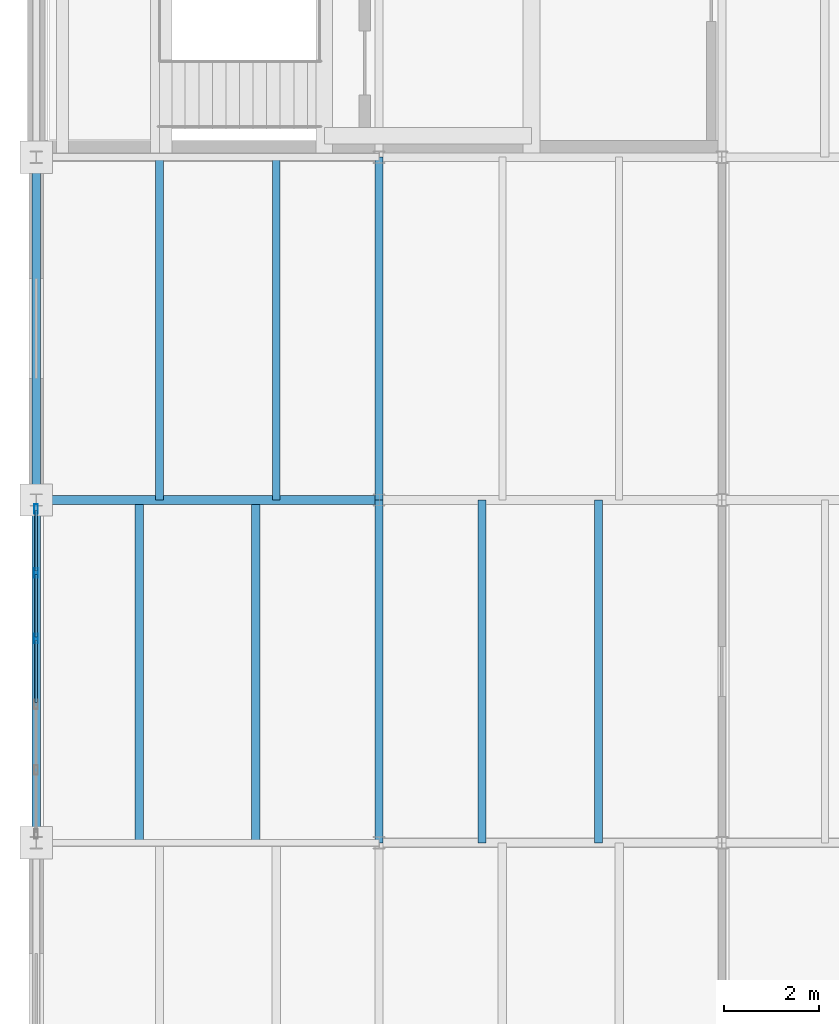
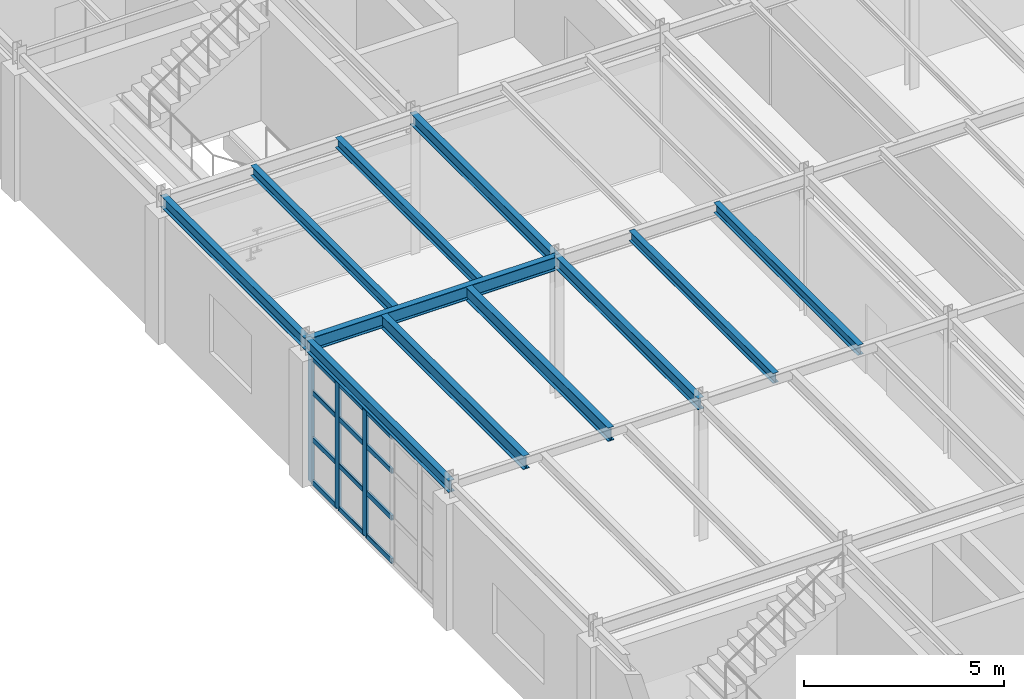
# One storey, part 18 of 36: 15 members, 11 beams, 1 element without a shape of its own.
"""IFC4 building model written with IfcOpenShell, lengths in metres."""

from ifc_helpers import new_model, si_unit, direction, frame, origin, origin_2d, place, context, subcontext, project, spatial, hollow_rectangle, i_section, extrude, material, layer, layer_set, material_profile, profile_set, type_object, element, aggregate, save


model = new_model("IFC4")

# Units and contexts
model_context = context("Model", 3, precision=1e-05, world=origin(), true_north=direction((0.0, 1.0)))
body_context = subcontext(model_context, "Body", "Model", "MODEL_VIEW")
ifc_project = project(units=[si_unit("LENGTHUNIT", "METRE"), si_unit("AREAUNIT", "SQUARE_METRE"), si_unit("VOLUMEUNIT", "CUBIC_METRE"), si_unit("PLANEANGLEUNIT", "RADIAN"), si_unit("MASSUNIT", "GRAM", prefix="KILO")], contexts=[model_context])

# Site, building, storey
site_placement = place(None, origin())
site = spatial("IfcSite", under=ifc_project, at=site_placement, CompositionType="ELEMENT")
building_placement = place(site_placement, origin())
building = spatial("IfcBuilding", under=site, at=building_placement, Name="Kemerveld Promenade Tramway Depot", CompositionType="ELEMENT")
storey_placement = place(building_placement, frame((0.0, 0.0, 14.39990234375)))
storey = spatial("IfcBuildingStorey", under=building, at=storey_placement, Name="L03", CompositionType="ELEMENT", Elevation=14.39990234375)

# Beams
ifc_material_1 = material(Name="Steel S355", Category="steel")
ifc_material_profile_1 = material_profile(ifc_material_1, i_section(OverallWidth=0.1787109375, OverallDepth=0.409423828125, WebThickness=0.0087890625, FlangeThickness=0.014404296875, FilletRadius=0.01025390625, at=origin_2d()), Name="406x178x67 UB")
ifc_profile_set_1 = profile_set([ifc_material_profile_1], Name="Steel S355")
beam_type_1 = type_object("IfcBeamType", Name="BM-G07", PredefinedType="BEAM", material=ifc_profile_set_1)
beam_placement = place(storey_placement, frame((0.0, 36.0, 4.080322265625), z_axis=(1.0, 0.0, 0.0), x_axis=(0.0, 1.0, 0.0)))
element("IfcBeam", 1, at=beam_placement, inside=storey, type_object=beam_type_1, Name="BMX-L03-01-02-F", PredefinedType="BEAM", context=body_context, shape_type="SweptSolid", body=[
    extrude(i_section(OverallWidth=0.1787109375, OverallDepth=0.409423828125, WebThickness=0.0087890625, FlangeThickness=0.014404296875, FilletRadius=0.01025390625, at=origin_2d()), origin(), (0.0, 0.0, 1.0), 7.199951171875),
])
ifc_material_profile_2 = material_profile(ifc_material_1, i_section(OverallWidth=0.172119140625, OverallDepth=0.35791015625, WebThickness=0.008056640625, FlangeThickness=0.012939453125, FilletRadius=0.01025390625, at=origin_2d()), Name="356x171x57 UB")
ifc_profile_set_2 = profile_set([ifc_material_profile_2], Name="Steel S355")
beam_type_2 = type_object("IfcBeamType", Name="BM-G08", PredefinedType="BEAM", material=ifc_profile_set_2)
for number, where, z_axis, x_axis, name in (
    (2, (0.0, 28.800048828125, 4.106201171875), (0.0, 1.0, 0.0), (-1.0, 0.0, 0.0), "BMY-L03-01-E-F"),
    (3, (0.0, 36.0, 4.10107421875), (0.0, 1.0, 0.0), (-1.0, 0.0, 0.0), "BMY-L03-01-F-G"),
    (4, (7.199951171875, 28.800048828125, 4.106201171875), (0.0, 1.0, 0.0), (-1.0, 0.0, 0.0), "BMY-L03-02-E-F"),
    (5, (7.199951171875, 36.0, 4.10107421875), (0.0, 1.0, 0.0), (-1.0, 0.0, 0.0), "BMY-L03-02-F-G"),
):
    element("IfcBeam", number, at=place(storey_placement, frame(where, z_axis=z_axis, x_axis=x_axis)), inside=storey, type_object=beam_type_2, Name=name, PredefinedType="BEAM", context=body_context, shape_type="SweptSolid", body=[
        extrude(i_section(OverallWidth=0.172119140625, OverallDepth=0.35791015625, WebThickness=0.008056640625, FlangeThickness=0.012939453125, FilletRadius=0.01025390625, at=origin_2d()), origin(), (0.0, 0.0, 1.0), 7.199951171875),
    ])
ifc_material_profile_3 = material_profile(ifc_material_1, i_section(OverallWidth=0.165771484375, OverallDepth=0.306640625, WebThickness=0.006591796875, FlangeThickness=0.01171875, FilletRadius=0.0087890625, at=origin_2d()), Name="305x165x46 UB")
ifc_profile_set_3 = profile_set([ifc_material_profile_3], Name="Steel S355")
beam_type_3 = type_object("IfcBeamType", Name="BM-J01", PredefinedType="JOIST", material=ifc_profile_set_3)
for number, where, z_axis, x_axis, name in (
    (6, (2.592041015625, 36.0, 4.126708984375), (0.0, 1.0, 0.0), (-1.0, 0.0, 0.0), "JST-L03-01-F-1"),
    (7, (5.0400390625, 36.0, 4.126708984375), (0.0, 1.0, 0.0), (-1.0, 0.0, 0.0), "JST-L03-01-F-2"),
    (8, (9.360107421875, 28.800048828125, 4.1318359375), (0.0, 1.0, 0.0), (-1.0, 0.0, 0.0), "JST-L03-02-E-1"),
    (9, (11.80810546875, 28.800048828125, 4.1318359375), (0.0, 1.0, 0.0), (-1.0, 0.0, 0.0), "JST-L03-02-E-2"),
):
    element("IfcBeam", number, at=place(storey_placement, frame(where, z_axis=z_axis, x_axis=x_axis)), inside=storey, type_object=beam_type_3, Name=name, PredefinedType="JOIST", context=body_context, shape_type="SweptSolid", body=[
        extrude(i_section(OverallWidth=0.165771484375, OverallDepth=0.306640625, WebThickness=0.006591796875, FlangeThickness=0.01171875, FilletRadius=0.0087890625, at=origin_2d()), origin(), (0.0, 0.0, 1.0), 7.199951171875),
    ])
ifc_material_profile_4 = material_profile(ifc_material_1, i_section(OverallWidth=0.1787109375, OverallDepth=0.409423828125, WebThickness=0.0087890625, FlangeThickness=0.014404296875, FilletRadius=0.01025390625, at=origin_2d()), Name="406x178x67 UB")
ifc_profile_set_4 = profile_set([ifc_material_profile_4], Name="Steel S355")
beam_type_4 = type_object("IfcBeamType", Name="BM-J05", PredefinedType="JOIST", material=ifc_profile_set_4)
for number, where, z_axis, x_axis, name in (
    (10, (2.159912109375, 28.800048828125, 4.080322265625), (0.0, 1.0, 0.0), (-1.0, 0.0, 0.0), "JST-L03-01-E-1"),
    (11, (4.60791015625, 28.800048828125, 4.080322265625), (0.0, 1.0, 0.0), (-1.0, 0.0, 0.0), "JST-L03-01-E-2"),
):
    element("IfcBeam", number, at=place(storey_placement, frame(where, z_axis=z_axis, x_axis=x_axis)), inside=storey, type_object=beam_type_4, Name=name, PredefinedType="JOIST", context=body_context, shape_type="SweptSolid", body=[
        extrude(i_section(OverallWidth=0.1787109375, OverallDepth=0.409423828125, WebThickness=0.0087890625, FlangeThickness=0.014404296875, FilletRadius=0.01025390625, at=origin_2d()), origin(), (0.0, 0.0, 1.0), 7.199951171875),
    ])

# Curtain wall, members
ifc_material_2 = material(Name="Bronze anodised aluminium and solar glass", Category="aluminium")
ifc_layer = layer(ifc_material_2, 0.199951171875)
ifc_layer_set = layer_set([ifc_layer], Name="CW-SYS-08")
curtain_wall_type = type_object("IfcCurtainWallType", Name="CW-SYS-08", PredefinedType="USERDEFINED", material=ifc_layer_set)
curtain_wall_placement = place(storey_placement, origin())
curtain_wall = element("IfcCurtainWall", 12, at=curtain_wall_placement, inside=storey, type_object=curtain_wall_type, Name="CW-L03-V5W-05", ObjectType="GLAZED_CURTAIN_WALL", PredefinedType="USERDEFINED")
ifc_material_3 = material(Name="Bronze anodised aluminium", Category="aluminium")
ifc_material_profile_5 = material_profile(ifc_material_3, hollow_rectangle(XDim=0.074951171875, YDim=0.199951171875, WallThickness=0.0048828125, InnerFilletRadius=0.001953125, OuterFilletRadius=0.0048828125, at=origin_2d()), Name="CW-MUL-200x75")
ifc_profile_set_5 = profile_set([ifc_material_profile_5], Name="Bronze anodised aluminium")
member_type_1 = type_object("IfcMemberType", Name="CW-MUL-B", PredefinedType="MULLION", material=ifc_profile_set_5)
member_1_placement = place(storey_placement, frame((0.0, 33.090087890625, 0.0), z_axis=(0.0, 0.0, 1.0), x_axis=(-1.0, 0.0, 0.0)))
member_1 = element("IfcMember", 13, at=member_1_placement, type_object=member_type_1, Name="CW08 mullion 4", PredefinedType="MULLION", context=body_context, shape_type="SweptSolid", body=[
    extrude(hollow_rectangle(XDim=0.074951171875, YDim=0.199951171875, WallThickness=0.0048828125, InnerFilletRadius=0.001953125, OuterFilletRadius=0.0048828125, at=origin_2d()), origin(), (0.0, 0.0, 1.0), 3.85009765625),
])
member_2_placement = place(storey_placement, frame((0.0, 34.469970703125, 0.0), z_axis=(0.0, 0.0, 1.0), x_axis=(-1.0, 0.0, 0.0)))
member_2 = element("IfcMember", 14, at=member_2_placement, type_object=member_type_1, Name="CW08 mullion 5", PredefinedType="MULLION", context=body_context, shape_type="SweptSolid", body=[
    extrude(hollow_rectangle(XDim=0.074951171875, YDim=0.199951171875, WallThickness=0.0048828125, InnerFilletRadius=0.001953125, OuterFilletRadius=0.0048828125, at=origin_2d()), origin(), (0.0, 0.0, 1.0), 3.85009765625),
])
member_3_placement = place(storey_placement, frame((0.0, 35.8125, 0.0), z_axis=(0.0, 0.0, 1.0), x_axis=(-1.0, 0.0, 0.0)))
member_3 = element("IfcMember", 15, at=member_3_placement, type_object=member_type_1, Name="CW08 mullion 6", PredefinedType="MULLION", context=body_context, shape_type="SweptSolid", body=[
    extrude(hollow_rectangle(XDim=0.074951171875, YDim=0.199951171875, WallThickness=0.0048828125, InnerFilletRadius=0.001953125, OuterFilletRadius=0.0048828125, at=origin_2d()), origin(), (0.0, 0.0, 1.0), 3.85009765625),
])
ifc_material_profile_6 = material_profile(ifc_material_3, hollow_rectangle(XDim=0.06494140625, YDim=0.14990234375, WallThickness=0.00439453125, InnerFilletRadius=0.001953125, OuterFilletRadius=0.00439453125, at=origin_2d()), Name="CW-TRN-150x65")
ifc_profile_set_6 = profile_set([ifc_material_profile_6], Name="Bronze anodised aluminium")
member_type_2 = type_object("IfcMemberType", Name="CW-TRN-B", PredefinedType="USERDEFINED", material=ifc_profile_set_6)
member_4_placement = place(storey_placement, frame((0.0, 31.74755859375, 0.03271484375), z_axis=(0.0, 1.0, 0.0), x_axis=(-1.0, 0.0, 0.0)))
member_4 = element("IfcMember", 16, at=member_4_placement, type_object=member_type_2, Name="CW08 transom 3.1", ObjectType="TRANSOM", PredefinedType="USERDEFINED", context=body_context, shape_type="SweptSolid", body=[
    extrude(hollow_rectangle(XDim=0.06494140625, YDim=0.14990234375, WallThickness=0.00439453125, InnerFilletRadius=0.001953125, OuterFilletRadius=0.00439453125, at=origin_2d()), origin(), (0.0, 0.0, 1.0), 1.304931640625),
])
member_5_placement = place(storey_placement, frame((0.0, 31.74755859375, 1.34814453125), z_axis=(0.0, 1.0, 0.0), x_axis=(-1.0, 0.0, 0.0)))
member_5 = element("IfcMember", 17, at=member_5_placement, type_object=member_type_2, Name="CW08 transom 3.2", ObjectType="TRANSOM", PredefinedType="USERDEFINED", context=body_context, shape_type="SweptSolid", body=[
    extrude(hollow_rectangle(XDim=0.06494140625, YDim=0.14990234375, WallThickness=0.00439453125, InnerFilletRadius=0.001953125, OuterFilletRadius=0.00439453125, at=origin_2d()), origin(), (0.0, 0.0, 1.0), 1.304931640625),
])
member_6_placement = place(storey_placement, frame((0.0, 31.74755859375, 2.772216796875), z_axis=(0.0, 1.0, 0.0), x_axis=(-1.0, 0.0, 0.0)))
member_6 = element("IfcMember", 18, at=member_6_placement, type_object=member_type_2, Name="CW08 transom 3.3", ObjectType="TRANSOM", PredefinedType="USERDEFINED", context=body_context, shape_type="SweptSolid", body=[
    extrude(hollow_rectangle(XDim=0.06494140625, YDim=0.14990234375, WallThickness=0.00439453125, InnerFilletRadius=0.001953125, OuterFilletRadius=0.00439453125, at=origin_2d()), origin(), (0.0, 0.0, 1.0), 1.304931640625),
])
member_7_placement = place(storey_placement, frame((0.0, 31.74755859375, 3.817626953125), z_axis=(0.0, 1.0, 0.0), x_axis=(-1.0, 0.0, 0.0)))
member_7 = element("IfcMember", 19, at=member_7_placement, type_object=member_type_2, Name="CW08 transom 3.4", ObjectType="TRANSOM", PredefinedType="USERDEFINED", context=body_context, shape_type="SweptSolid", body=[
    extrude(hollow_rectangle(XDim=0.06494140625, YDim=0.14990234375, WallThickness=0.00439453125, InnerFilletRadius=0.001953125, OuterFilletRadius=0.00439453125, at=origin_2d()), origin(), (0.0, 0.0, 1.0), 1.304931640625),
])
member_8_placement = place(storey_placement, frame((0.0, 33.12744140625, 0.03271484375), z_axis=(0.0, 1.0, 0.0), x_axis=(-1.0, 0.0, 0.0)))
member_8 = element("IfcMember", 20, at=member_8_placement, type_object=member_type_2, Name="CW08 transom 4.1", ObjectType="TRANSOM", PredefinedType="USERDEFINED", context=body_context, shape_type="SweptSolid", body=[
    extrude(hollow_rectangle(XDim=0.06494140625, YDim=0.14990234375, WallThickness=0.00439453125, InnerFilletRadius=0.001953125, OuterFilletRadius=0.00439453125, at=origin_2d()), origin(), (0.0, 0.0, 1.0), 1.304931640625),
])
member_9_placement = place(storey_placement, frame((0.0, 33.12744140625, 1.34814453125), z_axis=(0.0, 1.0, 0.0), x_axis=(-1.0, 0.0, 0.0)))
member_9 = element("IfcMember", 21, at=member_9_placement, type_object=member_type_2, Name="CW08 transom 4.2", ObjectType="TRANSOM", PredefinedType="USERDEFINED", context=body_context, shape_type="SweptSolid", body=[
    extrude(hollow_rectangle(XDim=0.06494140625, YDim=0.14990234375, WallThickness=0.00439453125, InnerFilletRadius=0.001953125, OuterFilletRadius=0.00439453125, at=origin_2d()), origin(), (0.0, 0.0, 1.0), 1.304931640625),
])
member_10_placement = place(storey_placement, frame((0.0, 33.12744140625, 2.772216796875), z_axis=(0.0, 1.0, 0.0), x_axis=(-1.0, 0.0, 0.0)))
member_10 = element("IfcMember", 22, at=member_10_placement, type_object=member_type_2, Name="CW08 transom 4.3", ObjectType="TRANSOM", PredefinedType="USERDEFINED", context=body_context, shape_type="SweptSolid", body=[
    extrude(hollow_rectangle(XDim=0.06494140625, YDim=0.14990234375, WallThickness=0.00439453125, InnerFilletRadius=0.001953125, OuterFilletRadius=0.00439453125, at=origin_2d()), origin(), (0.0, 0.0, 1.0), 1.304931640625),
])
member_11_placement = place(storey_placement, frame((0.0, 33.12744140625, 3.817626953125), z_axis=(0.0, 1.0, 0.0), x_axis=(-1.0, 0.0, 0.0)))
member_11 = element("IfcMember", 23, at=member_11_placement, type_object=member_type_2, Name="CW08 transom 4.4", ObjectType="TRANSOM", PredefinedType="USERDEFINED", context=body_context, shape_type="SweptSolid", body=[
    extrude(hollow_rectangle(XDim=0.06494140625, YDim=0.14990234375, WallThickness=0.00439453125, InnerFilletRadius=0.001953125, OuterFilletRadius=0.00439453125, at=origin_2d()), origin(), (0.0, 0.0, 1.0), 1.304931640625),
])
member_12_placement = place(storey_placement, frame((0.0, 34.507568359375, 0.03271484375), z_axis=(0.0, 1.0, 0.0), x_axis=(-1.0, 0.0, 0.0)))
member_12 = element("IfcMember", 24, at=member_12_placement, type_object=member_type_2, Name="CW08 transom 5.1", ObjectType="TRANSOM", PredefinedType="USERDEFINED", context=body_context, shape_type="SweptSolid", body=[
    extrude(hollow_rectangle(XDim=0.06494140625, YDim=0.14990234375, WallThickness=0.00439453125, InnerFilletRadius=0.001953125, OuterFilletRadius=0.00439453125, at=origin_2d()), origin(), (0.0, 0.0, 1.0), 1.267333984375),
])
member_13_placement = place(storey_placement, frame((0.0, 34.507568359375, 1.34814453125), z_axis=(0.0, 1.0, 0.0), x_axis=(-1.0, 0.0, 0.0)))
member_13 = element("IfcMember", 25, at=member_13_placement, type_object=member_type_2, Name="CW08 transom 5.2", ObjectType="TRANSOM", PredefinedType="USERDEFINED", context=body_context, shape_type="SweptSolid", body=[
    extrude(hollow_rectangle(XDim=0.06494140625, YDim=0.14990234375, WallThickness=0.00439453125, InnerFilletRadius=0.001953125, OuterFilletRadius=0.00439453125, at=origin_2d()), origin(), (0.0, 0.0, 1.0), 1.267333984375),
])
member_14_placement = place(storey_placement, frame((0.0, 34.507568359375, 2.772216796875), z_axis=(0.0, 1.0, 0.0), x_axis=(-1.0, 0.0, 0.0)))
member_14 = element("IfcMember", 26, at=member_14_placement, type_object=member_type_2, Name="CW08 transom 5.3", ObjectType="TRANSOM", PredefinedType="USERDEFINED", context=body_context, shape_type="SweptSolid", body=[
    extrude(hollow_rectangle(XDim=0.06494140625, YDim=0.14990234375, WallThickness=0.00439453125, InnerFilletRadius=0.001953125, OuterFilletRadius=0.00439453125, at=origin_2d()), origin(), (0.0, 0.0, 1.0), 1.267333984375),
])
member_15_placement = place(storey_placement, frame((0.0, 34.507568359375, 3.817626953125), z_axis=(0.0, 1.0, 0.0), x_axis=(-1.0, 0.0, 0.0)))
member_15 = element("IfcMember", 27, at=member_15_placement, type_object=member_type_2, Name="CW08 transom 5.4", ObjectType="TRANSOM", PredefinedType="USERDEFINED", context=body_context, shape_type="SweptSolid", body=[
    extrude(hollow_rectangle(XDim=0.06494140625, YDim=0.14990234375, WallThickness=0.00439453125, InnerFilletRadius=0.001953125, OuterFilletRadius=0.00439453125, at=origin_2d()), origin(), (0.0, 0.0, 1.0), 1.267333984375),
])
aggregate(curtain_wall, [member_1, member_2, member_3, member_4, member_5, member_6, member_7, member_8, member_9, member_10, member_11, member_12, member_13, member_14, member_15])

save(model, "model.ifc")
